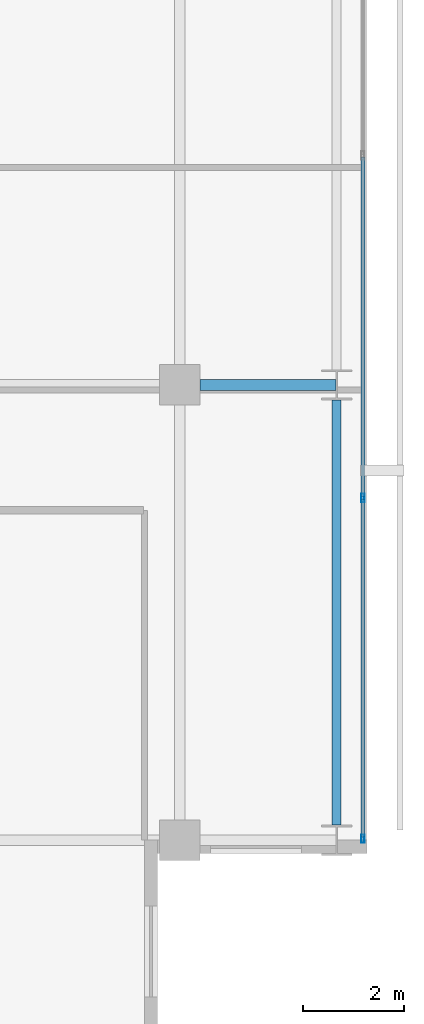
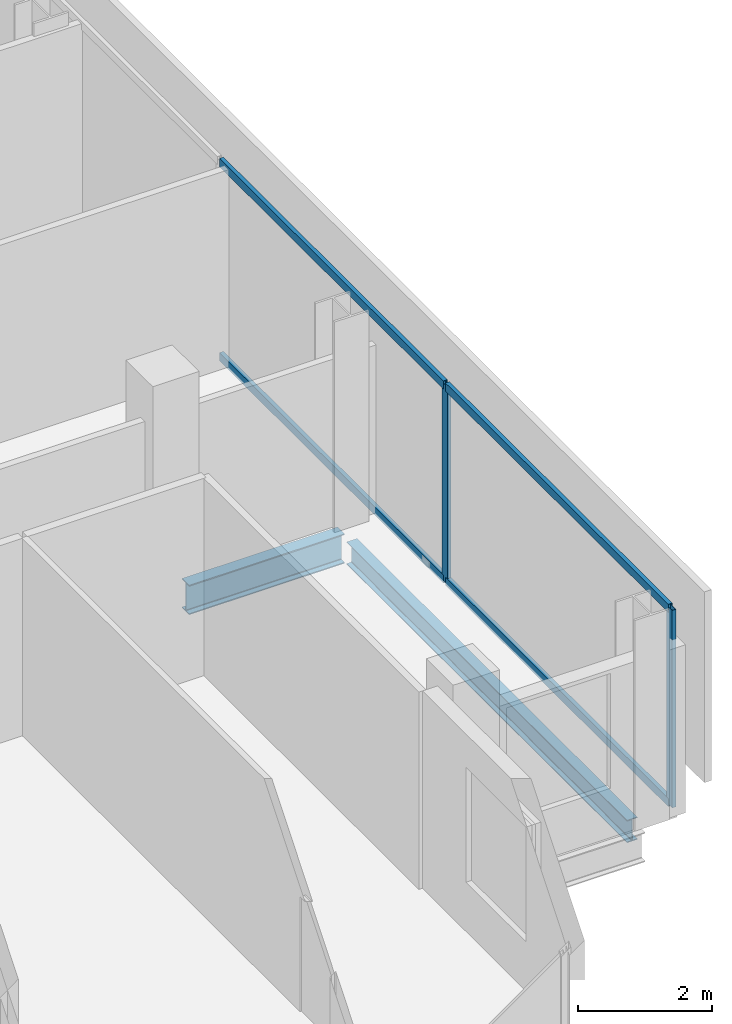
# One storey, part 15 of 34: 6 members, 2 beams, 1 element without a shape of its own.
"""IFC4 building model written with IfcOpenShell, lengths in metres."""

from ifc_helpers import new_model, si_unit, direction, frame, origin, origin_2d, place, context, subcontext, project, spatial, hollow_rectangle, i_section, extrude, material, layer, layer_set, material_profile, profile_set, type_object, element, aggregate, save


model = new_model("IFC4")

# Units and contexts
model_context = context("Model", 3, precision=1e-05, world=origin(), true_north=direction((0.0, 1.0)))
body_context = subcontext(model_context, "Body", "Model", "MODEL_VIEW")
ifc_project = project(units=[si_unit("LENGTHUNIT", "METRE"), si_unit("AREAUNIT", "SQUARE_METRE"), si_unit("VOLUMEUNIT", "CUBIC_METRE"), si_unit("PLANEANGLEUNIT", "RADIAN"), si_unit("MASSUNIT", "GRAM", prefix="KILO")], contexts=[model_context])

# Site, building, storey
site_placement = place(None, origin())
site = spatial("IfcSite", under=ifc_project, at=site_placement, CompositionType="ELEMENT")
building_placement = place(site_placement, origin())
building = spatial("IfcBuilding", under=site, at=building_placement, Name="Maruvema Waterfront Hotel and Observation Tower", CompositionType="ELEMENT")
storey_placement = place(building_placement, frame((0.0, 0.0, 215.949951171875)))
storey = spatial("IfcBuildingStorey", under=building, at=storey_placement, Name="L53", CompositionType="ELEMENT", Elevation=215.949951171875)

# Curtain wall, members
ifc_material_1 = material(Name="Anodised bronze aluminium and solar-control low-E IGU", Category="aluminium")
ifc_layer = layer(ifc_material_1, 0.159912109375, Name="Zone 2 Amber Inner Thermal Curtain Wall System CW-03")
ifc_layer_set = layer_set([ifc_layer], Name="Anodised bronze aluminium and solar-control low-E IGU")
curtain_wall_type = type_object("IfcCurtainWallType", Name="Zone 2 Amber Inner Thermal Curtain Wall System CW-03", PredefinedType="USERDEFINED", material=ifc_layer_set)
curtain_wall_placement = place(storey_placement, origin())
curtain_wall = element("IfcCurtainWall", 1, at=curtain_wall_placement, inside=storey, type_object=curtain_wall_type, Name="L53 Curtain Wall CW-L53-E", ObjectType="UNITISED CURTAIN WALL", PredefinedType="USERDEFINED")
ifc_material_2 = material(Name="Anodised architectural bronze aluminium", Category="aluminium")
ifc_material_profile_1 = material_profile(ifc_material_2, hollow_rectangle(XDim=0.070068359375, YDim=0.14990234375, WallThickness=0.00390625, at=origin_2d()), Name="ALU-T70x150")
ifc_profile_set_1 = profile_set([ifc_material_profile_1], Name="Anodised architectural bronze aluminium")
member_type_1 = type_object("IfcMemberType", Name="Curtain Wall Horizontal Transom ALU-T70x150", PredefinedType="USERDEFINED", material=ifc_profile_set_1)
member_1_placement = place(storey_placement, frame((62.419921875, 9.06005859375, 0.030029296875), z_axis=(0.0, 1.0, 0.0), x_axis=(-1.0, 0.0, 0.0)))
member_1 = element("IfcMember", 2, at=member_1_placement, type_object=member_type_1, Name="CW-03 transom 1.1", ObjectType="TRANSOM", PredefinedType="USERDEFINED", context=body_context, shape_type="SweptSolid", body=[
    extrude(hollow_rectangle(XDim=0.070068359375, YDim=0.14990234375, WallThickness=0.00390625, at=origin_2d()), origin(), (0.0, 0.0, 1.0), 6.676513671875),
])
member_2_placement = place(storey_placement, frame((62.419921875, 9.06005859375, 3.580078125), z_axis=(0.0, 1.0, 0.0), x_axis=(-1.0, 0.0, 0.0)))
member_2 = element("IfcMember", 3, at=member_2_placement, type_object=member_type_1, Name="CW-03 transom 1.2", ObjectType="TRANSOM", PredefinedType="USERDEFINED", context=body_context, shape_type="SweptSolid", body=[
    extrude(hollow_rectangle(XDim=0.070068359375, YDim=0.14990234375, WallThickness=0.00390625, at=origin_2d()), origin(), (0.0, 0.0, 1.0), 6.676513671875),
])
member_3_placement = place(storey_placement, frame((62.419921875, 15.796630859375, 0.030029296875), z_axis=(0.0, 1.0, 0.0), x_axis=(-1.0, 0.0, 0.0)))
member_3 = element("IfcMember", 4, at=member_3_placement, type_object=member_type_1, Name="CW-03 transom 2.1", ObjectType="TRANSOM", PredefinedType="USERDEFINED", context=body_context, shape_type="SweptSolid", body=[
    extrude(hollow_rectangle(XDim=0.070068359375, YDim=0.14990234375, WallThickness=0.00390625, at=origin_2d()), origin(), (0.0, 0.0, 1.0), 6.706787109375),
])
member_4_placement = place(storey_placement, frame((62.419921875, 15.796630859375, 3.580078125), z_axis=(0.0, 1.0, 0.0), x_axis=(-1.0, 0.0, 0.0)))
member_4 = element("IfcMember", 5, at=member_4_placement, type_object=member_type_1, Name="CW-03 transom 2.2", ObjectType="TRANSOM", PredefinedType="USERDEFINED", context=body_context, shape_type="SweptSolid", body=[
    extrude(hollow_rectangle(XDim=0.070068359375, YDim=0.14990234375, WallThickness=0.00390625, at=origin_2d()), origin(), (0.0, 0.0, 1.0), 6.706787109375),
])
ifc_material_3 = material(Name="Anodised architectural bronze aluminium", Category="aluminium")
ifc_material_profile_2 = material_profile(ifc_material_3, hollow_rectangle(XDim=0.06494140625, YDim=0.1650390625, WallThickness=0.00390625, at=origin_2d()), Name="ALU-M65x165")
ifc_profile_set_2 = profile_set([ifc_material_profile_2], Name="Anodised architectural bronze aluminium")
member_type_2 = type_object("IfcMemberType", Name="Curtain Wall Primary Mullion ALU-M65x165", PredefinedType="MULLION", material=ifc_profile_set_2)
member_5_placement = place(storey_placement, frame((62.419921875, 9.030029296875, 0.0), z_axis=(0.0, 0.0, 1.0), x_axis=(-1.0, 0.0, 0.0)))
member_5 = element("IfcMember", 6, at=member_5_placement, type_object=member_type_2, Name="CW-03 mullion 1", PredefinedType="MULLION", context=body_context, shape_type="SweptSolid", body=[
    extrude(hollow_rectangle(XDim=0.06494140625, YDim=0.1650390625, WallThickness=0.00390625, at=origin_2d()), origin(), (0.0, 0.0, 1.0), 3.610107421875),
])
member_6_placement = place(storey_placement, frame((62.419921875, 15.7666015625, 0.0), z_axis=(0.0, 0.0, 1.0), x_axis=(-1.0, 0.0, 0.0)))
member_6 = element("IfcMember", 7, at=member_6_placement, type_object=member_type_2, Name="CW-03 mullion 2", PredefinedType="MULLION", context=body_context, shape_type="SweptSolid", body=[
    extrude(hollow_rectangle(XDim=0.06494140625, YDim=0.1650390625, WallThickness=0.00390625, at=origin_2d()), origin(), (0.0, 0.0, 1.0), 3.610107421875),
])
aggregate(curtain_wall, [member_5, member_6, member_1, member_2, member_3, member_4])

# Beams
ifc_material_4 = material(Name="Steel ASTM A572 Grade 50", Category="steel")
ifc_material_profile_3 = material_profile(ifc_material_4, i_section(OverallWidth=0.178955078125, OverallDepth=0.409912109375, WebThickness=0.0087890625, FlangeThickness=0.014404296875, FilletRadius=0.014892578125, at=origin_2d()), Name="W410x67.0")
ifc_profile_set_3 = profile_set([ifc_material_profile_3], Name="Steel ASTM A572 Grade 50")
beam_type_1 = type_object("IfcBeamType", Name="Perimeter Spandrel Beam W410x67.0", PredefinedType="SPANDREL", material=ifc_profile_set_3)
beam_1_placement = place(storey_placement, frame((61.89990234375, 9.300048828125, -0.445068359375), z_axis=(0.0, 1.0, 0.0), x_axis=(-1.0, 0.0, 0.0)))
element("IfcBeam", 8, at=beam_1_placement, inside=storey, type_object=beam_type_1, Name="L53 Floor Girder NS-29", PredefinedType="SPANDREL", context=body_context, shape_type="SweptSolid", body=[
    extrude(i_section(OverallWidth=0.178955078125, OverallDepth=0.409912109375, WebThickness=0.0087890625, FlangeThickness=0.014404296875, FilletRadius=0.014892578125, at=origin_2d()), origin(), (0.0, 0.0, 1.0), 8.39990234375),
])
ifc_material_5 = material(Name="Steel ASTM A572 Grade 50", Category="steel")
ifc_material_profile_4 = material_profile(ifc_material_5, i_section(OverallWidth=0.2109375, OverallDepth=0.5390625, WebThickness=0.01171875, FlangeThickness=0.018798828125, FilletRadius=0.014892578125, at=origin_2d()), Name="W530x109.0")
ifc_profile_set_4 = profile_set([ifc_material_profile_4], Name="Steel ASTM A572 Grade 50")
beam_type_2 = type_object("IfcBeamType", Name="Primary Floor Girder W530x109.0", PredefinedType="BEAM", material=ifc_profile_set_4)
beam_2_placement = place(storey_placement, frame((59.199951171875, 18.0, -0.509521484375), z_axis=(1.0, 0.0, 0.0), x_axis=(0.0, 1.0, 0.0)))
element("IfcBeam", 9, at=beam_2_placement, inside=storey, type_object=beam_type_2, Name="L53 Floor Girder EW-17", PredefinedType="BEAM", context=body_context, shape_type="SweptSolid", body=[
    extrude(i_section(OverallWidth=0.2109375, OverallDepth=0.5390625, WebThickness=0.01171875, FlangeThickness=0.018798828125, FilletRadius=0.014892578125, at=origin_2d()), origin(), (0.0, 0.0, 1.0), 2.6875),
])

save(model, "model.ifc")
